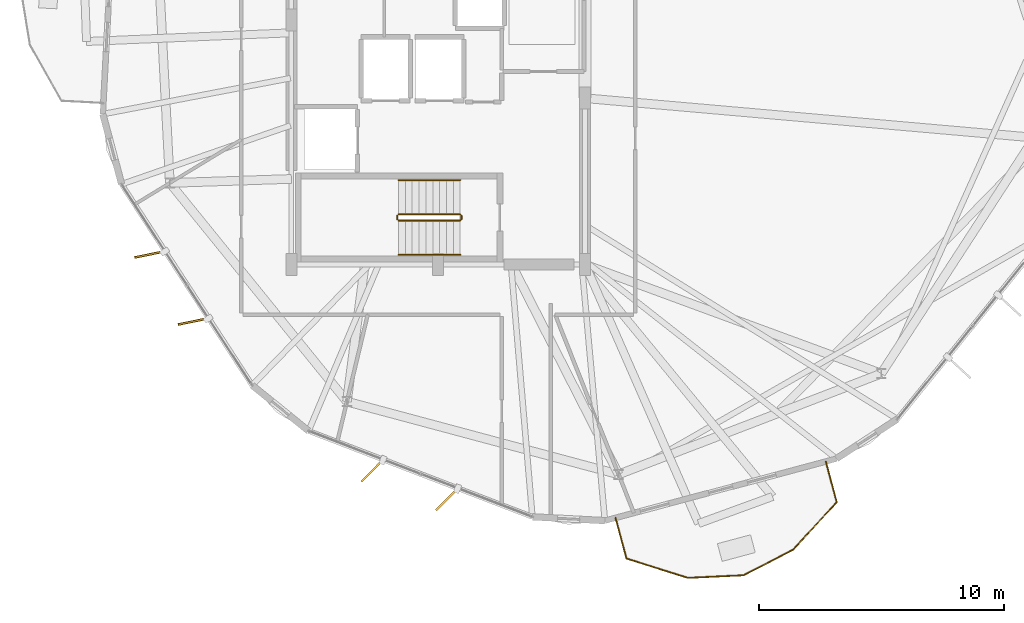
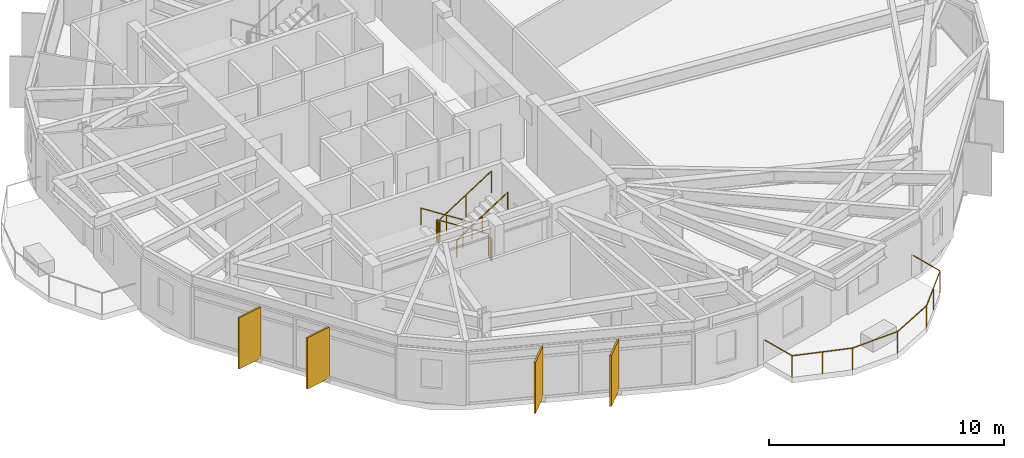
# One storey, part 27 of 29: 7 railings, 4 shading devices.
"""IFC4 building model written with IfcOpenShell, lengths in metres."""

from ifc_helpers import new_model, si_unit, direction, frame, origin, origin_2d, place, context, subcontext, project, spatial, rectangle, circle, extrude, material, layer, layer_set, type_object, element, save


model = new_model("IFC4")

# Units and contexts
model_context = context("Model", 3, precision=1e-05, world=origin(), true_north=direction((0.0, 1.0)))
body_context = subcontext(model_context, "Body", "Model", "MODEL_VIEW")
ifc_project = project(units=[si_unit("LENGTHUNIT", "METRE"), si_unit("AREAUNIT", "SQUARE_METRE"), si_unit("VOLUMEUNIT", "CUBIC_METRE"), si_unit("PLANEANGLEUNIT", "RADIAN"), si_unit("MASSUNIT", "GRAM", prefix="KILO")], contexts=[model_context])

# Site, building, storey
site_placement = place(None, origin())
site = spatial("IfcSite", under=ifc_project, at=site_placement, CompositionType="ELEMENT")
building_placement = place(site_placement, origin())
building = spatial("IfcBuilding", under=site, at=building_placement, Name="Soratama Intermodal Tower", CompositionType="ELEMENT")
storey_placement = place(building_placement, frame((0.0, 0.0, 219.39990234375)))
storey = spatial("IfcBuildingStorey", under=building, at=storey_placement, Name="L55", CompositionType="ELEMENT", Elevation=219.39990234375)

# Railings
ifc_material_1 = material(Name="Laminated glass and stainless steel balustrade", Category="steel")
railing_type_1 = type_object("IfcRailingType", Name="RL-BAL-1150", PredefinedType="BALUSTRADE", material=ifc_material_1)
railing_1_placement = place(storey_placement, frame((54.44189453125, 6.95166015625, 0.0)))
element("IfcRailing", 1, at=railing_1_placement, inside=storey, type_object=railing_type_1, Name="L55 Balcony Balustrade 3", PredefinedType="BALUSTRADE", context=body_context, shape_type="SweptSolid", body=[
    extrude(circle(Radius=0.02392578125, at=origin_2d()), frame((0.0, 0.0, 1.1259765625), z_axis=(0.258766830823, -0.965939815551, 0.0), x_axis=(0.965939815551, 0.258766830823, 0.0)), (0.0, 0.0, 1.0), 1.719970703125),
    extrude(circle(Radius=0.02392578125, at=origin_2d()), frame((0.445068359375, -1.661376953125, 1.1259765625), z_axis=(-0.676030697358, -0.73687346012, 0.0), x_axis=(0.73687346012, -0.676030697358, 0.0)), (0.0, 0.0, 1.0), 2.63623046875),
    extrude(circle(Radius=0.02392578125, at=origin_2d()), frame((-1.337158203125, -3.60400390625, 1.1259765625), z_axis=(-0.888627705859, -0.458629262454, 0.0), x_axis=(0.458629262454, -0.888627705859, 0.0)), (0.0, 0.0, 1.0), 2.27685546875),
    extrude(circle(Radius=0.02392578125, at=origin_2d()), frame((-3.3603515625, -4.648193359375, 1.1259765625), z_axis=(-0.998886260479, -0.047183033238, 0.0), x_axis=(0.047183033238, -0.998886260479, 0.0)), (0.0, 0.0, 1.0), 2.276611328125),
    extrude(circle(Radius=0.02392578125, at=origin_2d()), frame((-5.634521484375, -4.755615234375, 1.1259765625), z_axis=(-0.953899829161, 0.300125167101, 0.0), x_axis=(-0.300125167101, -0.953899829161, 0.0)), (0.0, 0.0, 1.0), 2.636474609375),
    extrude(circle(Radius=0.02392578125, at=origin_2d()), frame((-8.1494140625, -3.96435546875, 1.1259765625), z_axis=(-0.258766830823, 0.965939815551, 0.0), x_axis=(-0.965939815551, -0.258766830823, 0.0)), (0.0, 0.0, 1.0), 1.719970703125),
    extrude(circle(Radius=0.02099609375, at=origin_2d()), origin(), (0.0, 0.0, 1.0), 1.101806640625),
    extrude(circle(Radius=0.02099609375, at=origin_2d()), frame((0.445068359375, -1.661376953125, 0.0)), (0.0, 0.0, 1.0), 1.101806640625),
    extrude(circle(Radius=0.02099609375, at=origin_2d()), frame((-0.446044921875, -2.6328125, 0.0)), (0.0, 0.0, 1.0), 1.101806640625),
    extrude(circle(Radius=0.02099609375, at=origin_2d()), frame((-1.337158203125, -3.60400390625, 0.0)), (0.0, 0.0, 1.0), 1.101806640625),
    extrude(circle(Radius=0.02099609375, at=origin_2d()), frame((-3.3603515625, -4.648193359375, 0.0)), (0.0, 0.0, 1.0), 1.101806640625),
    extrude(circle(Radius=0.02099609375, at=origin_2d()), frame((-5.634521484375, -4.755615234375, 0.0)), (0.0, 0.0, 1.0), 1.101806640625),
    extrude(circle(Radius=0.02099609375, at=origin_2d()), frame((-6.89208984375, -4.35986328125, 0.0)), (0.0, 0.0, 1.0), 1.101806640625),
    extrude(circle(Radius=0.02099609375, at=origin_2d()), frame((-8.1494140625, -3.96435546875, 0.0)), (0.0, 0.0, 1.0), 1.101806640625),
    extrude(circle(Radius=0.02099609375, at=origin_2d()), frame((-8.594482421875, -2.302978515625, 0.0)), (0.0, 0.0, 1.0), 1.101806640625),
])
ifc_material_2 = material(Name="Painted steel stair guardrail", Category="steel")
railing_type_2 = type_object("IfcRailingType", Name="RL-STAIR-GUARD", PredefinedType="GUARDRAIL", material=ifc_material_2)
railing_2_placement = place(storey_placement, frame((39.5, 17.050048828125, 0.18017578125)))
element("IfcRailing", 2, at=railing_2_placement, inside=storey, type_object=railing_type_2, Name="L55 ST-1 stair guard 1", PredefinedType="GUARDRAIL", context=body_context, shape_type="SweptSolid", body=[
    extrude(circle(Radius=0.02392578125, at=origin_2d()), frame((0.0, 0.0, 1.1259765625), z_axis=(-0.841199657755, 0.0, 0.540724639528), x_axis=(0.0, -1.0, 0.0)), (0.0, 0.0, 1.0), 2.995849609375),
    extrude(circle(Radius=0.02099609375, at=origin_2d()), origin(), (0.0, 0.0, 1.0), 1.101806640625),
    extrude(circle(Radius=0.02099609375, at=origin_2d()), frame((-1.260009765625, 0.0, 0.81005859375)), (0.0, 0.0, 1.0), 1.101806640625),
    extrude(circle(Radius=0.02099609375, at=origin_2d()), frame((-2.52001953125, 0.0, 1.619873046875)), (0.0, 0.0, 1.0), 1.101806640625),
])
railing_3_placement = place(storey_placement, frame((36.929931640625, 17.0, 1.800048828125)))
element("IfcRailing", 3, at=railing_3_placement, inside=storey, type_object=railing_type_2, Name="L55 ST-1 stair guard 2", PredefinedType="GUARDRAIL", context=body_context, shape_type="SweptSolid", body=[
    extrude(circle(Radius=0.02392578125, at=origin_2d()), frame((0.0, 0.0, 1.1259765625), z_axis=(0.0, -1.0, 0.0), x_axis=(1.0, 0.0, 0.0)), (0.0, 0.0, 1.0), 0.14990234375),
    extrude(circle(Radius=0.02099609375, at=origin_2d()), origin(), (0.0, 0.0, 1.0), 1.101806640625),
    extrude(circle(Radius=0.02099609375, at=origin_2d()), frame((0.0, -0.14990234375, 0.0)), (0.0, 0.0, 1.0), 1.101806640625),
])
railing_4_placement = place(storey_placement, frame((36.97998046875, 16.800048828125, 1.97998046875)))
element("IfcRailing", 4, at=railing_4_placement, inside=storey, type_object=railing_type_2, Name="L55 ST-1 stair guard 3", PredefinedType="GUARDRAIL", context=body_context, shape_type="SweptSolid", body=[
    extrude(circle(Radius=0.02392578125, at=origin_2d()), frame((0.0, 0.0, 1.1259765625), z_axis=(0.841162588446, 0.0, 0.540782303519), x_axis=(0.0, 1.0, 0.0)), (0.0, 0.0, 1.0), 2.995849609375),
    extrude(circle(Radius=0.02099609375, at=origin_2d()), origin(), (0.0, 0.0, 1.0), 1.101806640625),
    extrude(circle(Radius=0.02099609375, at=origin_2d()), frame((1.260009765625, 0.0, 0.81005859375)), (0.0, 0.0, 1.0), 1.101806640625),
    extrude(circle(Radius=0.02099609375, at=origin_2d()), frame((2.52001953125, 0.0, 1.6201171875)), (0.0, 0.0, 1.0), 1.101806640625),
])
railing_5_placement = place(storey_placement, frame((39.550048828125, 17.0, 0.0)))
element("IfcRailing", 5, at=railing_5_placement, inside=storey, type_object=railing_type_2, Name="L55 ST-1 stair guard 4", PredefinedType="GUARDRAIL", context=body_context, shape_type="SweptSolid", body=[
    extrude(circle(Radius=0.02392578125, at=origin_2d()), frame((0.0, 0.0, 1.1259765625), z_axis=(0.0, -1.0, 0.0), x_axis=(1.0, 0.0, 0.0)), (0.0, 0.0, 1.0), 0.14990234375),
    extrude(circle(Radius=0.02099609375, at=origin_2d()), origin(), (0.0, 0.0, 1.0), 1.101806640625),
    extrude(circle(Radius=0.02099609375, at=origin_2d()), frame((0.0, -0.14990234375, 0.0)), (0.0, 0.0, 1.0), 1.101806640625),
])
ifc_material_3 = material(Name="Brushed stainless steel handrail", Category="steel")
railing_type_3 = type_object("IfcRailingType", Name="RL-STAIR-HAND", PredefinedType="HANDRAIL", material=ifc_material_3)
railing_6_placement = place(storey_placement, frame((39.5, 18.449951171875, 0.18017578125)))
element("IfcRailing", 6, at=railing_6_placement, inside=storey, type_object=railing_type_3, Name="L55 ST-1 stair handrail 1", PredefinedType="HANDRAIL", context=body_context, shape_type="SweptSolid", body=[
    extrude(circle(Radius=0.02392578125, at=origin_2d()), frame((0.0, 0.0, 0.8759765625), z_axis=(-0.841199657755, 0.0, 0.540724639528), x_axis=(0.0, -1.0, 0.0)), (0.0, 0.0, 1.0), 2.995849609375),
    extrude(circle(Radius=0.02099609375, at=origin_2d()), origin(), (0.0, 0.0, 1.0), 0.851806640625),
    extrude(circle(Radius=0.02099609375, at=origin_2d()), frame((-1.260009765625, 0.0, 0.81005859375)), (0.0, 0.0, 1.0), 0.851806640625),
    extrude(circle(Radius=0.02099609375, at=origin_2d()), frame((-2.52001953125, 0.0, 1.619873046875)), (0.0, 0.0, 1.0), 0.851806640625),
])
railing_7_placement = place(storey_placement, frame((36.97998046875, 15.39990234375, 1.97998046875)))
element("IfcRailing", 7, at=railing_7_placement, inside=storey, type_object=railing_type_3, Name="L55 ST-1 stair handrail 2", PredefinedType="HANDRAIL", context=body_context, shape_type="SweptSolid", body=[
    extrude(circle(Radius=0.02392578125, at=origin_2d()), frame((0.0, 0.0, 0.8759765625), z_axis=(0.841162588446, 0.0, 0.540782303519), x_axis=(0.0, 1.0, 0.0)), (0.0, 0.0, 1.0), 2.995849609375),
    extrude(circle(Radius=0.02099609375, at=origin_2d()), origin(), (0.0, 0.0, 1.0), 0.851806640625),
    extrude(circle(Radius=0.02099609375, at=origin_2d()), frame((1.260009765625, 0.0, 0.81005859375)), (0.0, 0.0, 1.0), 0.851806640625),
    extrude(circle(Radius=0.02099609375, at=origin_2d()), frame((2.52001953125, 0.0, 1.6201171875)), (0.0, 0.0, 1.0), 0.851806640625),
])

# Shading devices
ifc_material_4 = material(Name="Champagne anodised aluminium solar fin", Category="aluminium")
ifc_layer = layer(ifc_material_4, 0.080078125)
ifc_layer_set = layer_set([ifc_layer], Name="Champagne anodised aluminium solar fin")
shading_device_type = type_object("IfcShadingDeviceType", Name="SH-FIN-1250", PredefinedType="USERDEFINED", material=ifc_layer_set)
for number, where, z_axis, x_axis, name in (
    (8, (26.80859375, 15.413818359375, 0.02001953125), (0.0, 0.0, 1.0), (-0.979505000486, -0.201419845156, 0.0), "L55 Solar Fin F05-1"),
    (9, (28.58740234375, 12.6748046875, 0.02001953125), (0.0, 0.0, 1.0), (-0.979505000486, -0.201419845156, 0.0), "L55 Solar Fin F05-2"),
    (10, (35.8984375, 6.56982421875, 0.02001953125), (0.0, 0.0, 1.0), (-0.703394702811, -0.710799473873, 0.0), "L55 Solar Fin F06-1"),
    (11, (38.947509765625, 5.3994140625, 0.02001953125), (0.0, 0.0, 1.0), (-0.703394702811, -0.710799473873, 0.0), "L55 Solar Fin F06-2"),
):
    element("IfcShadingDevice", number, at=place(storey_placement, frame(where, z_axis=z_axis, x_axis=x_axis)), inside=storey, type_object=shading_device_type, Name=name, ObjectType="FIN", PredefinedType="USERDEFINED", context=body_context, shape_type="SweptSolid", body=[
        extrude(rectangle(XDim=1.25, YDim=0.080078125, at=origin_2d()), origin(), (0.0, 0.0, 1.0), 2.658935546875),
    ])

save(model, "model.ifc")
